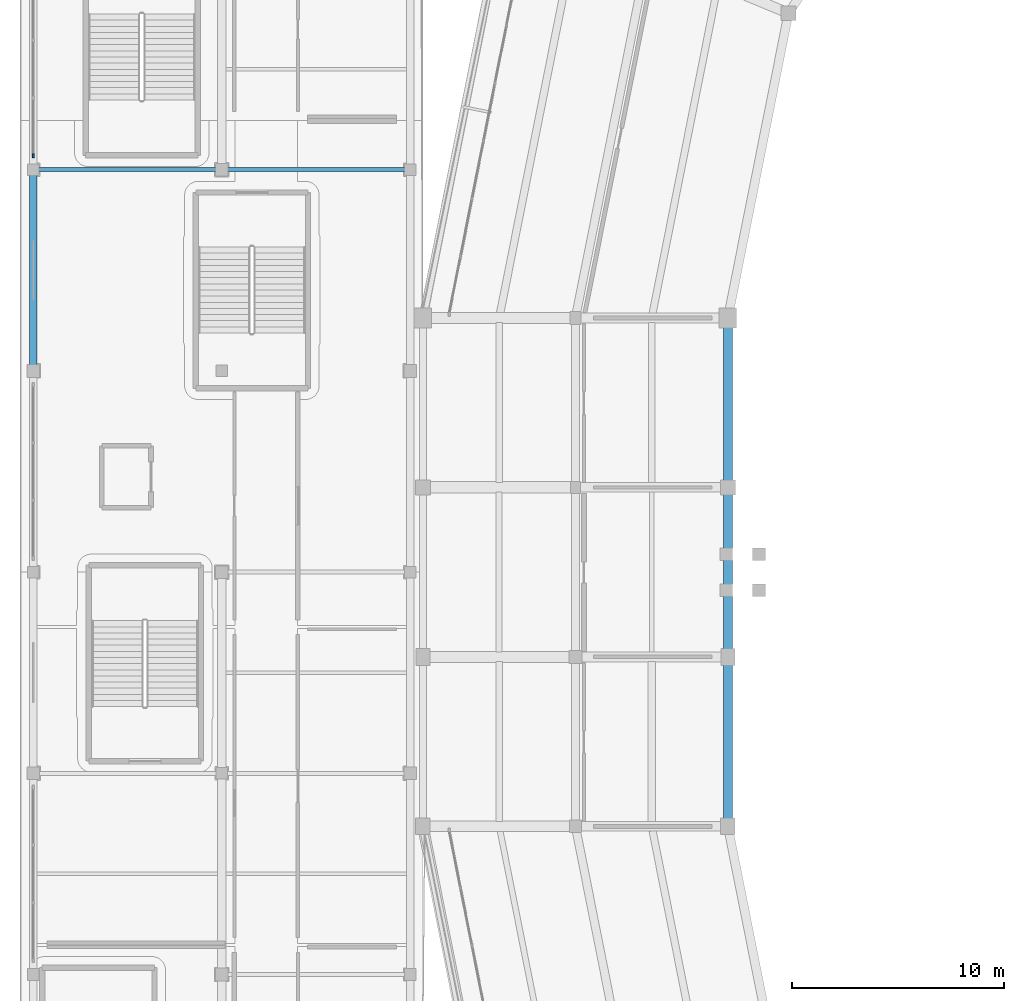
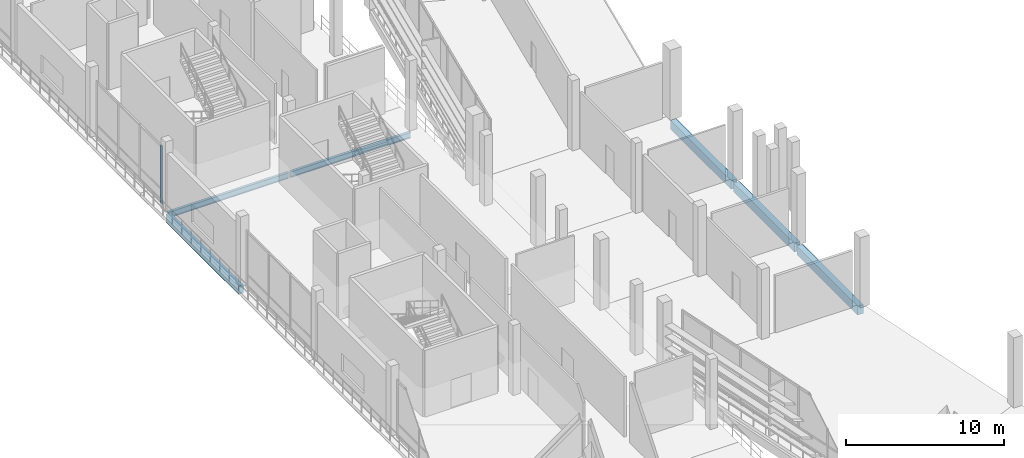
# One storey, part 25 of 111: 6 beams, 1 member, 1 element without a shape of its own.
"""IFC4 building model written with IfcOpenShell, lengths in metres."""

from ifc_helpers import new_model, si_unit, direction, frame, origin, origin_2d, place, context, subcontext, project, spatial, rectangle, i_section, extrude, material, material_profile, profile_set, type_object, element, aggregate, save


model = new_model("IFC4")

# Units and contexts
model_context = context("Model", 3, precision=1e-05, world=origin(), true_north=direction((0.0, 1.0)))
body_context = subcontext(model_context, "Body", "Model", "MODEL_VIEW")
ifc_project = project(units=[si_unit("LENGTHUNIT", "METRE"), si_unit("AREAUNIT", "SQUARE_METRE"), si_unit("VOLUMEUNIT", "CUBIC_METRE"), si_unit("PLANEANGLEUNIT", "RADIAN"), si_unit("MASSUNIT", "GRAM", prefix="KILO")], contexts=[model_context])

# Site, building, storey
site_placement = place(None, origin())
site = spatial("IfcSite", under=ifc_project, at=site_placement, CompositionType="ELEMENT")
building_placement = place(site_placement, origin())
building = spatial("IfcBuilding", under=site, at=building_placement, Name="Candeia Ridge Stadium", CompositionType="ELEMENT")
storey_placement = place(building_placement, frame((0.0, 0.0, 16.199951171875)))
storey = spatial("IfcBuildingStorey", under=building, at=storey_placement, Name="L03", CompositionType="ELEMENT", Elevation=16.199951171875)

# Curtain wall, member
ifc_material_1 = material(Name="Aluminium Anodized Warm Bronze", Category="aluminium")
curtain_wall_type = type_object("IfcCurtainWallType", Name="West Pavilion Hospitality Curtain Wall", PredefinedType="NOTDEFINED", material=ifc_material_1)
curtain_wall_placement = place(storey_placement, origin())
curtain_wall = element("IfcCurtainWall", 1, at=curtain_wall_placement, inside=storey, type_object=curtain_wall_type, Name="Unitised curtain wall CW-WNG-L03-091", PredefinedType="NOTDEFINED")
ifc_material_profile_1 = material_profile(ifc_material_1, rectangle(XDim=0.090087890625, YDim=0.179931640625, at=origin_2d()), Name="CWM-90x180", Category="aluminium")
ifc_profile_set_1 = profile_set([ifc_material_profile_1], Name="Aluminium Anodized Warm Bronze")
member_type = type_object("IfcMemberType", Name="Curtain Wall Primary Mullion 90x180", PredefinedType="MULLION", material=ifc_profile_set_1)
member_placement = place(storey_placement, frame((0.60009765625, 102.659912109375, 0.0), z_axis=(0.0, 0.0, 1.0), x_axis=(1.0, 0.0, 0.0)))
member = element("IfcMember", 2, at=member_placement, type_object=member_type, Name="Curtain wall mullion CW-WNG-L03-091-M0", PredefinedType="MULLION", context=body_context, shape_type="SweptSolid", body=[
    extrude(rectangle(XDim=0.090087890625, YDim=0.179931640625, at=origin_2d()), origin(), (0.0, 0.0, 1.0), 4.47509765625),
])
aggregate(curtain_wall, [member])

# Beams
ifc_material_2 = material(Name="Concrete C40/50", Category="concrete")
ifc_material_profile_2 = material_profile(ifc_material_2, rectangle(XDim=0.419921875, YDim=0.679931640625, at=origin_2d()), Name="RC420x680", Category="concrete")
ifc_profile_set_2 = profile_set([ifc_material_profile_2], Name="Concrete C40/50")
beam_type_1 = type_object("IfcBeamType", Name="Frame Girder RC420x680", PredefinedType="BEAM", material=ifc_profile_set_2)
for number, where, z_axis, x_axis, name in (
    (3, (33.39990234375, 94.840087890625, -0.58984375), (0.0, -1.0, 0.0), (1.0, 0.0, 0.0), "Bowl inner ring girder BM-L03-0603"),
    (4, (33.39990234375, 86.840087890625, -0.58984375), (0.0, -1.0, 0.0), (1.0, 0.0, 0.0), "Bowl inner ring girder BM-L03-0608"),
    (5, (33.39990234375, 78.840087890625, -0.58984375), (0.0, -1.0, 0.0), (1.0, 0.0, 0.0), "Bowl inner ring girder BM-L03-0613"),
):
    element("IfcBeam", number, at=place(storey_placement, frame(where, z_axis=z_axis, x_axis=x_axis)), inside=storey, type_object=beam_type_1, Name=name, PredefinedType="BEAM", context=body_context, shape_type="SweptSolid", body=[
        extrude(rectangle(XDim=0.419921875, YDim=0.679931640625, at=origin_2d()), origin(), (0.0, 0.0, 1.0), 7.68017578125),
    ])
ifc_material_3 = material(Name="Steel ASTM A572 Grade 50", Category="steel")
ifc_material_profile_3 = material_profile(ifc_material_3, i_section(OverallWidth=0.18994140625, OverallDepth=0.45703125, WebThickness=0.009033203125, FlangeThickness=0.014404296875, FilletRadius=0.012939453125, at=origin_2d()), Name="W460x74", Category="steel")
ifc_profile_set_3 = profile_set([ifc_material_profile_3], Name="Steel ASTM A572 Grade 50")
beam_type_2 = type_object("IfcBeamType", Name="Pavilion Steel Girder W460x74", PredefinedType="BEAM", material=ifc_profile_set_3)
for number, where, z_axis, x_axis, name in (
    (6, (0.64990234375, 102.0, -0.478515625), (1.0, 0.0, 0.0), (0.0, 1.0, 0.0), "Structural girder BM-L03-1241"),
    (7, (9.550048828125, 102.0, -0.478515625), (1.0, 0.0, 0.0), (0.0, 1.0, 0.0), "Structural girder BM-L03-1263"),
):
    element("IfcBeam", number, at=place(storey_placement, frame(where, z_axis=z_axis, x_axis=x_axis)), inside=storey, type_object=beam_type_2, Name=name, PredefinedType="BEAM", context=body_context, shape_type="SweptSolid", body=[
        extrude(i_section(OverallWidth=0.18994140625, OverallDepth=0.45703125, WebThickness=0.009033203125, FlangeThickness=0.014404296875, FilletRadius=0.012939453125, at=origin_2d()), origin(), (0.0, 0.0, 1.0), 8.800048828125),
    ])
ifc_material_profile_4 = material_profile(ifc_material_2, rectangle(XDim=0.35009765625, YDim=0.64990234375, at=origin_2d()), Name="RC350x650", Category="concrete")
ifc_profile_set_4 = profile_set([ifc_material_profile_4], Name="Concrete C40/50")
beam_type_3 = type_object("IfcBeamType", Name="Spandrel Beam RC350x650", PredefinedType="SPANDREL", material=ifc_profile_set_4)
beam_placement = place(storey_placement, frame((0.60009765625, 92.659912109375, -0.574951171875), z_axis=(0.0, 1.0, 0.0), x_axis=(-1.0, 0.0, 0.0)))
element("IfcBeam", 8, at=beam_placement, inside=storey, type_object=beam_type_3, Name="Structural girder BM-L03-1201", PredefinedType="SPANDREL", context=body_context, shape_type="SweptSolid", body=[
    extrude(rectangle(XDim=0.35009765625, YDim=0.64990234375, at=origin_2d()), origin(), (0.0, 0.0, 1.0), 9.18017578125),
])

save(model, "model.ifc")
